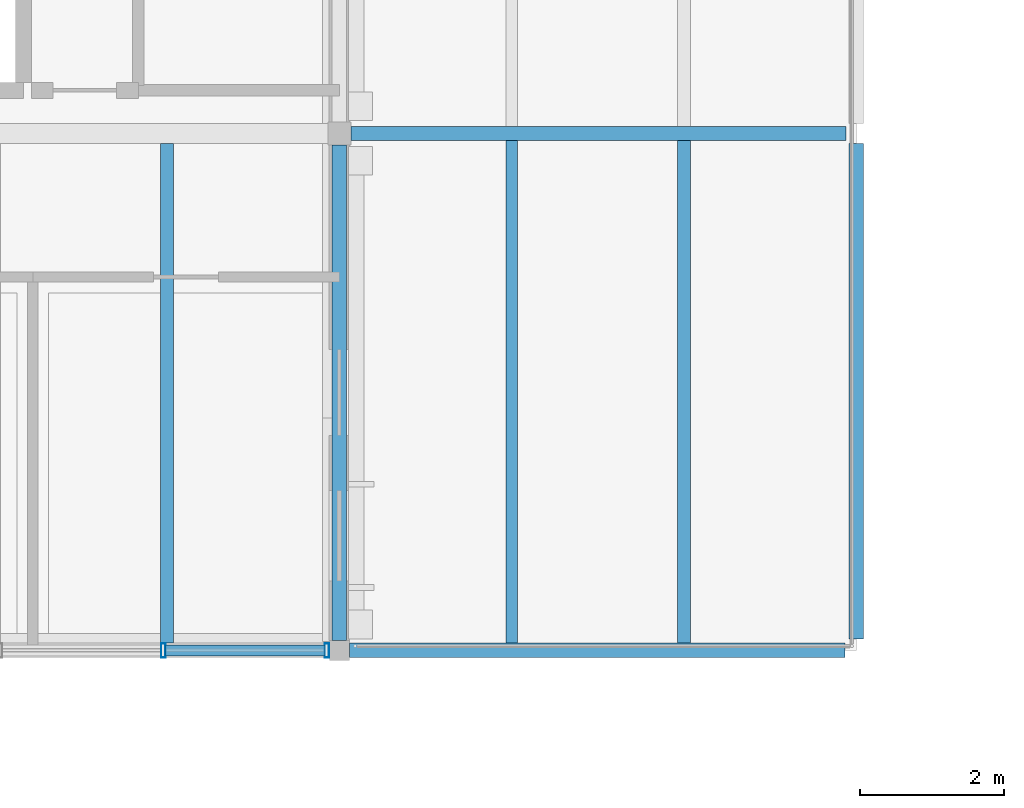
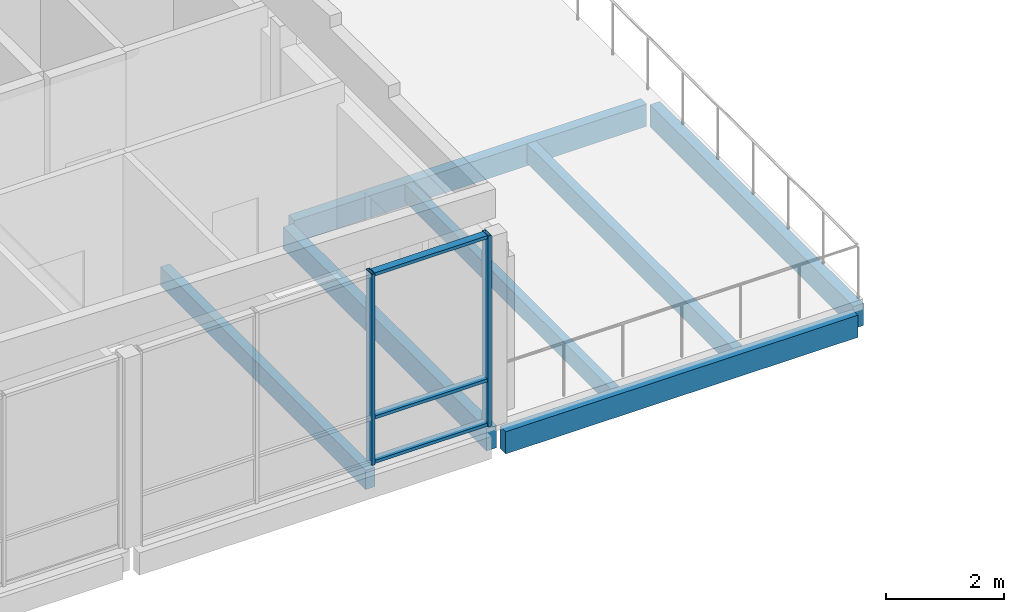
# One storey, part 14 of 32: 7 beams, 5 members, 1 element without a shape of its own.
"""IFC4 building model written with IfcOpenShell, lengths in metres."""

from ifc_helpers import new_model, si_unit, direction, frame, origin, origin_2d, place, context, subcontext, project, spatial, rectangle, hollow_rectangle, extrude, material, material_profile, profile_set, type_object, element, aggregate, save


model = new_model("IFC4")

# Units and contexts
model_context = context("Model", 3, precision=1e-05, world=origin(), true_north=direction((0.0, 1.0)))
body_context = subcontext(model_context, "Body", "Model", "MODEL_VIEW")
ifc_project = project(units=[si_unit("LENGTHUNIT", "METRE"), si_unit("AREAUNIT", "SQUARE_METRE"), si_unit("VOLUMEUNIT", "CUBIC_METRE"), si_unit("PLANEANGLEUNIT", "RADIAN"), si_unit("MASSUNIT", "GRAM", prefix="KILO")], contexts=[model_context])

# Site, building, storey
site_placement = place(None, origin())
site = spatial("IfcSite", under=ifc_project, at=site_placement, CompositionType="ELEMENT")
building_placement = place(site_placement, origin())
building = spatial("IfcBuilding", under=site, at=building_placement, Name="Hawrajan Terrace Health Centre", CompositionType="ELEMENT")
storey_placement = place(building_placement, frame((0.0, 0.0, 17.39990234375)))
storey = spatial("IfcBuildingStorey", under=building, at=storey_placement, Name="L04", CompositionType="ELEMENT", Elevation=17.39990234375)

# Curtain wall, members
ifc_material_1 = material(Name="Anodized bronze aluminium and low-E solar glazing", Category="aluminium")
curtain_wall_type = type_object("IfcCurtainWallType", Name="CW_Hall_SeriesD1", PredefinedType="USERDEFINED", material=ifc_material_1)
curtain_wall_placement = place(storey_placement, origin())
curtain_wall = element("IfcCurtainWall", 1, at=curtain_wall_placement, inside=storey, type_object=curtain_wall_type, Name="Curtain wall CW-L04-178", ObjectType="UNITISED CURTAIN WALL", PredefinedType="USERDEFINED")
ifc_material_2 = material(Name="Anodized bronze aluminium 6063-T6", Category="aluminium")
ifc_material_profile_1 = material_profile(ifc_material_2, hollow_rectangle(XDim=0.06494140625, YDim=0.199951171875, WallThickness=0.00439453125, at=origin_2d()), Name="CW MUL 65x200")
ifc_profile_set_1 = profile_set([ifc_material_profile_1], Name="Anodized bronze aluminium 6063-T6")
member_type_1 = type_object("IfcMemberType", Name="CWMullion_65x200", PredefinedType="MULLION", material=ifc_profile_set_1)
member_1_placement = place(storey_placement, frame((52.54931640625, 45.39990234375, -0.0048828125), z_axis=(0.0, 0.0, 1.0), x_axis=(1.0, 0.0, 0.0)))
member_1 = element("IfcMember", 2, at=member_1_placement, type_object=member_type_1, Name="Mullion CW-L04-178-M3", PredefinedType="MULLION", context=body_context, shape_type="SweptSolid", body=[
    extrude(hollow_rectangle(XDim=0.06494140625, YDim=0.199951171875, WallThickness=0.00439453125, at=origin_2d()), origin(), (0.0, 0.0, 1.0), 3.9599609375),
])
member_2_placement = place(storey_placement, frame((54.827392578125, 45.39990234375, -0.0048828125), z_axis=(0.0, 0.0, 1.0), x_axis=(1.0, 0.0, 0.0)))
member_2 = element("IfcMember", 3, at=member_2_placement, type_object=member_type_1, Name="Mullion CW-L04-178-M4", PredefinedType="MULLION", context=body_context, shape_type="SweptSolid", body=[
    extrude(hollow_rectangle(XDim=0.06494140625, YDim=0.199951171875, WallThickness=0.00439453125, at=origin_2d()), origin(), (0.0, 0.0, 1.0), 3.9599609375),
])
ifc_material_profile_2 = material_profile(ifc_material_2, hollow_rectangle(XDim=0.06494140625, YDim=0.14990234375, WallThickness=0.00390625, at=origin_2d()), Name="CW TRN 65x150")
ifc_profile_set_2 = profile_set([ifc_material_profile_2], Name="Anodized bronze aluminium 6063-T6")
member_type_2 = type_object("IfcMemberType", Name="CWTransom_65x150", PredefinedType="USERDEFINED", material=ifc_profile_set_2)
member_3_placement = place(storey_placement, frame((52.57568359375, 45.39990234375, 0.03271484375), z_axis=(1.0, 0.0, 0.0), x_axis=(0.0, 0.0, 1.0)))
member_3 = element("IfcMember", 4, at=member_3_placement, type_object=member_type_2, Name="Transom CW-L04-178-T3-1", ObjectType="TRANSOM", PredefinedType="USERDEFINED", context=body_context, shape_type="SweptSolid", body=[
    extrude(hollow_rectangle(XDim=0.06494140625, YDim=0.14990234375, WallThickness=0.00390625, at=origin_2d()), origin(), (0.0, 0.0, 1.0), 2.225341796875),
])
member_4_placement = place(storey_placement, frame((52.57568359375, 45.39990234375, 0.9501953125), z_axis=(1.0, 0.0, 0.0), x_axis=(0.0, 0.0, 1.0)))
member_4 = element("IfcMember", 5, at=member_4_placement, type_object=member_type_2, Name="Transom CW-L04-178-T3-2", ObjectType="TRANSOM", PredefinedType="USERDEFINED", context=body_context, shape_type="SweptSolid", body=[
    extrude(hollow_rectangle(XDim=0.06494140625, YDim=0.14990234375, WallThickness=0.00390625, at=origin_2d()), origin(), (0.0, 0.0, 1.0), 2.225341796875),
])
member_5_placement = place(storey_placement, frame((52.57568359375, 45.39990234375, 3.91748046875), z_axis=(1.0, 0.0, 0.0), x_axis=(0.0, 0.0, 1.0)))
member_5 = element("IfcMember", 6, at=member_5_placement, type_object=member_type_2, Name="Transom CW-L04-178-T3-3", ObjectType="TRANSOM", PredefinedType="USERDEFINED", context=body_context, shape_type="SweptSolid", body=[
    extrude(hollow_rectangle(XDim=0.06494140625, YDim=0.14990234375, WallThickness=0.00390625, at=origin_2d()), origin(), (0.0, 0.0, 1.0), 2.225341796875),
])
aggregate(curtain_wall, [member_1, member_2, member_3, member_4, member_5])

# Beams
ifc_material_3 = material(Name="Glulam GL28h", Category="wood")
ifc_material_profile_3 = material_profile(ifc_material_3, rectangle(XDim=0.159912109375, YDim=0.360107421875, at=origin_2d()), Name="GL JST 160x360")
ifc_profile_set_3 = profile_set([ifc_material_profile_3], Name="Glulam GL28h")
beam_type_1 = type_object("IfcBeamType", Name="GlulamJoist_160x360", PredefinedType="JOIST", material=ifc_profile_set_3)
beam_1_placement = place(storey_placement, frame((57.39990234375, 45.5, -0.39990234375), z_axis=(0.0, 1.0, 0.0), x_axis=(-1.0, 0.0, 0.0)))
element("IfcBeam", 7, at=beam_1_placement, inside=storey, type_object=beam_type_1, Name="Secondary joist JST-L04-W-08-6-1", PredefinedType="JOIST", context=body_context, shape_type="SweptSolid", body=[
    extrude(rectangle(XDim=0.159912109375, YDim=0.360107421875, at=origin_2d()), origin(), (0.0, 0.0, 1.0), 7.0),
])
ifc_material_profile_4 = material_profile(ifc_material_3, rectangle(XDim=0.179931640625, YDim=0.39990234375, at=origin_2d()), Name="GL JST 180x400")
ifc_profile_set_4 = profile_set([ifc_material_profile_4], Name="Glulam GL28h")
beam_type_2 = type_object("IfcBeamType", Name="GlulamJoist_180x400", PredefinedType="JOIST", material=ifc_profile_set_4)
beam_2_placement = place(storey_placement, frame((52.60009765625, 45.5, -0.419921875), z_axis=(0.0, 1.0, 0.0), x_axis=(-1.0, 0.0, 0.0)))
element("IfcBeam", 8, at=beam_2_placement, inside=storey, type_object=beam_type_2, Name="Secondary joist JST-L04-W-07-6-2", PredefinedType="JOIST", context=body_context, shape_type="SweptSolid", body=[
    extrude(rectangle(XDim=0.179931640625, YDim=0.39990234375, at=origin_2d()), origin(), (0.0, 0.0, 1.0), 6.9599609375),
])
beam_3_placement = place(storey_placement, frame((59.800048828125, 45.5, -0.419921875), z_axis=(0.0, 1.0, 0.0), x_axis=(-1.0, 0.0, 0.0)))
element("IfcBeam", 9, at=beam_3_placement, inside=storey, type_object=beam_type_2, Name="Secondary joist JST-L04-W-08-6-2", PredefinedType="JOIST", context=body_context, shape_type="SweptSolid", body=[
    extrude(rectangle(XDim=0.179931640625, YDim=0.39990234375, at=origin_2d()), origin(), (0.0, 0.0, 1.0), 7.0),
])
ifc_material_4 = material(Name="Glulam GL32h", Category="wood")
ifc_material_profile_5 = material_profile(ifc_material_4, rectangle(XDim=0.199951171875, YDim=0.4599609375, at=origin_2d()), Name="GL SP 200x460")
ifc_profile_set_5 = profile_set([ifc_material_profile_5], Name="Glulam GL32h")
beam_type_3 = type_object("IfcBeamType", Name="GlulamSpandrel_200x460", PredefinedType="SPANDREL", material=ifc_profile_set_5)
for number, where, z_axis, x_axis, name in (
    (10, (55.139892578125, 45.39990234375, -0.449951171875), (1.0, 0.0, 0.0), (0.0, 1.0, 0.0), "Beam BM-X-L04-W-08-Y6"),
    (11, (55.159912109375, 52.60009765625, -0.449951171875), (1.0, 0.0, 0.0), (0.0, 1.0, 0.0), "Beam BM-X-L04-W-08-Y7"),
):
    element("IfcBeam", number, at=place(storey_placement, frame(where, z_axis=z_axis, x_axis=x_axis)), inside=storey, type_object=beam_type_3, Name=name, PredefinedType="SPANDREL", context=body_context, shape_type="SweptSolid", body=[
        extrude(rectangle(XDim=0.199951171875, YDim=0.4599609375, at=origin_2d()), origin(), (0.0, 0.0, 1.0), 6.900146484375),
    ])
for number, where, z_axis, x_axis, name in (
    (12, (55.0, 45.5400390625, -0.449951171875), (0.0, 1.0, 0.0), (-1.0, 0.0, 0.0), "Beam BM-Y-L04-W-X08-6"),
    (13, (62.199951171875, 45.56005859375, -0.449951171875), (0.0, 1.0, 0.0), (-1.0, 0.0, 0.0), "Beam BM-Y-L04-W-X09-6"),
):
    element("IfcBeam", number, at=place(storey_placement, frame(where, z_axis=z_axis, x_axis=x_axis)), inside=storey, type_object=beam_type_3, Name=name, PredefinedType="SPANDREL", context=body_context, shape_type="SweptSolid", body=[
        extrude(rectangle(XDim=0.199951171875, YDim=0.4599609375, at=origin_2d()), origin(), (0.0, 0.0, 1.0), 6.89990234375),
    ])

save(model, "model.ifc")
